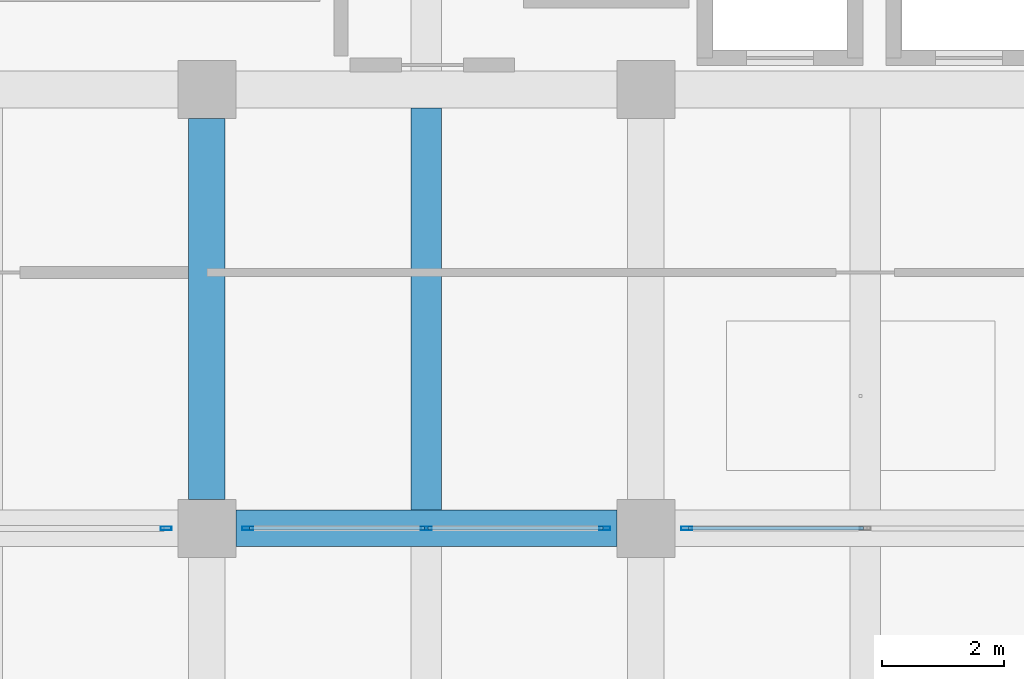
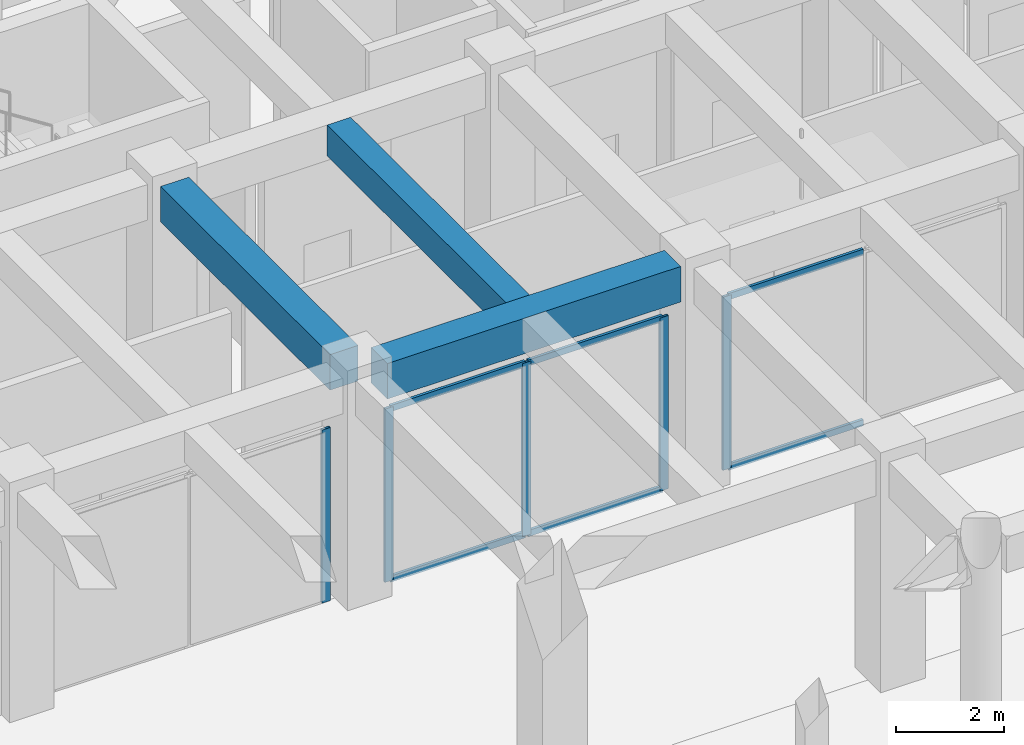
# One storey, part 9 of 56: 11 members, 3 beams, 3 elements without a shape of their own.
"""IFC4 building model written with IfcOpenShell, lengths in metres."""

from ifc_helpers import new_model, si_unit, direction, frame, origin, origin_2d, place, context, subcontext, project, spatial, rectangle, hollow_rectangle, extrude, material, material_profile, profile_set, type_object, element, aggregate, save


model = new_model("IFC4")

# Units and contexts
model_context = context("Model", 3, precision=1e-05, world=origin(), true_north=direction((0.0, 1.0)))
body_context = subcontext(model_context, "Body", "Model", "MODEL_VIEW")
ifc_project = project(units=[si_unit("LENGTHUNIT", "METRE"), si_unit("AREAUNIT", "SQUARE_METRE"), si_unit("VOLUMEUNIT", "CUBIC_METRE"), si_unit("PLANEANGLEUNIT", "RADIAN"), si_unit("MASSUNIT", "GRAM", prefix="KILO")], contexts=[model_context])

# Site, building, storey
site_placement = place(None, origin())
site = spatial("IfcSite", under=ifc_project, at=site_placement, CompositionType="ELEMENT")
building_placement = place(site_placement, origin())
building = spatial("IfcBuilding", under=site, at=building_placement, Name="Kazehaya Institute of Natural Sciences", CompositionType="ELEMENT")
storey_placement = place(building_placement, origin())
storey = spatial("IfcBuildingStorey", under=building, at=storey_placement, Name="L00", CompositionType="ELEMENT", Elevation=0.0)

# Beams
ifc_material_1 = material(Name="Concrete Fc36", Category="concrete")
ifc_material_profile_1 = material_profile(ifc_material_1, rectangle(XDim=0.60009765625, YDim=0.800048828125, at=origin_2d()), Name="RC-600x800")
ifc_profile_set_1 = profile_set([ifc_material_profile_1], Name="Concrete Fc36")
beam_type_1 = type_object("IfcBeamType", Name="BM-G-600x800", PredefinedType="BEAM", material=ifc_profile_set_1)
for number, where, z_axis, x_axis, name in (
    (1, (69.47509765625, 14.0, 4.72998046875), (1.0, 0.0, 0.0), (0.0, 1.0, 0.0), "L00 primary X girder BMX-L00-690-140"),
    (2, (69.0, 14.47509765625, 4.72998046875), (0.0, 1.0, 0.0), (-1.0, 0.0, 0.0), "L00 primary Y girder BMY-L00-690-140"),
):
    element("IfcBeam", number, at=place(storey_placement, frame(where, z_axis=z_axis, x_axis=x_axis)), inside=storey, type_object=beam_type_1, Name=name, PredefinedType="BEAM", context=body_context, shape_type="SweptSolid", body=[
        extrude(rectangle(XDim=0.60009765625, YDim=0.800048828125, at=origin_2d()), origin(), (0.0, 0.0, 1.0), 6.25),
    ])
ifc_material_profile_2 = material_profile(ifc_material_1, rectangle(XDim=0.5, YDim=0.699951171875, at=origin_2d()), Name="RC-500x700")
ifc_profile_set_2 = profile_set([ifc_material_profile_2], Name="Concrete Fc36")
beam_type_2 = type_object("IfcBeamType", Name="BM-J-500x700", PredefinedType="JOIST", material=ifc_profile_set_2)
beam_placement = place(storey_placement, frame((72.60009765625, 14.300048828125, 4.780029296875), z_axis=(0.0, 1.0, 0.0), x_axis=(-1.0, 0.0, 0.0)))
element("IfcBeam", 3, at=beam_placement, inside=storey, type_object=beam_type_2, Name="L00 secondary lab beam JST-L00-0013", PredefinedType="JOIST", context=body_context, shape_type="SweptSolid", body=[
    extrude(rectangle(XDim=0.5, YDim=0.699951171875, at=origin_2d()), origin(), (0.0, 0.0, 1.0), 6.599853515625),
])

# Curtain wall, member
ifc_material_2 = material(Name="Aluminium alloy A6063S-T5", Category="aluminium")
curtain_wall_type = type_object("IfcCurtainWallType", Name="CW-SYS-01", PredefinedType="NOTDEFINED", material=ifc_material_2)
curtain_wall_1_placement = place(storey_placement, origin())
curtain_wall_1 = element("IfcCurtainWall", 4, at=curtain_wall_1_placement, inside=storey, type_object=curtain_wall_type, Name="L00 unitised curtain wall CW-L00-004", PredefinedType="NOTDEFINED")
ifc_material_profile_3 = material_profile(ifc_material_2, hollow_rectangle(XDim=0.06005859375, YDim=0.179931640625, WallThickness=0.00390625, at=origin_2d()), Name="ALU-60x180x4")
ifc_profile_set_3 = profile_set([ifc_material_profile_3], Name="Aluminium alloy A6063S-T5")
member_type_1 = type_object("IfcMemberType", Name="CWM-180", PredefinedType="MULLION", material=ifc_profile_set_3)
member_1_placement = place(storey_placement, frame((76.8701171875, 14.0, 0.0), z_axis=(0.0, 0.0, 1.0), x_axis=(0.0, -1.0, 0.0)))
member_1 = element("IfcMember", 5, at=member_1_placement, type_object=member_type_1, Name="CW01 mullion 3", PredefinedType="MULLION", context=body_context, shape_type="SweptSolid", body=[
    extrude(hollow_rectangle(XDim=0.06005859375, YDim=0.179931640625, WallThickness=0.00390625, at=origin_2d()), origin(), (0.0, 0.0, 1.0), 3.89990234375),
])

# Curtain wall, members
curtain_wall_2_placement = place(storey_placement, origin())
curtain_wall_2 = element("IfcCurtainWall", 6, at=curtain_wall_2_placement, inside=storey, type_object=curtain_wall_type, Name="L00 unitised curtain wall CW-L00-005", PredefinedType="NOTDEFINED")
member_2_placement = place(storey_placement, frame((75.530029296875, 14.0, 0.0), z_axis=(0.0, 0.0, 1.0), x_axis=(0.0, -1.0, 0.0)))
member_2 = element("IfcMember", 7, at=member_2_placement, type_object=member_type_1, Name="CW01 mullion 1", PredefinedType="MULLION", context=body_context, shape_type="SweptSolid", body=[
    extrude(hollow_rectangle(XDim=0.06005859375, YDim=0.179931640625, WallThickness=0.00390625, at=origin_2d()), origin(), (0.0, 0.0, 1.0), 3.89990234375),
])
member_3_placement = place(storey_placement, frame((72.60009765625, 14.0, 0.0), z_axis=(0.0, 0.0, 1.0), x_axis=(0.0, -1.0, 0.0)))
member_3 = element("IfcMember", 8, at=member_3_placement, type_object=member_type_1, Name="CW01 mullion 2", PredefinedType="MULLION", context=body_context, shape_type="SweptSolid", body=[
    extrude(hollow_rectangle(XDim=0.06005859375, YDim=0.179931640625, WallThickness=0.00390625, at=origin_2d()), origin(), (0.0, 0.0, 1.0), 3.89990234375),
])
member_4_placement = place(storey_placement, frame((69.669921875, 14.0, 0.0), z_axis=(0.0, 0.0, 1.0), x_axis=(0.0, -1.0, 0.0)))
member_4 = element("IfcMember", 9, at=member_4_placement, type_object=member_type_1, Name="CW01 mullion 3", PredefinedType="MULLION", context=body_context, shape_type="SweptSolid", body=[
    extrude(hollow_rectangle(XDim=0.06005859375, YDim=0.179931640625, WallThickness=0.00390625, at=origin_2d()), origin(), (0.0, 0.0, 1.0), 3.89990234375),
])

# Curtain wall, member
curtain_wall_3_placement = place(storey_placement, origin())
curtain_wall_3 = element("IfcCurtainWall", 10, at=curtain_wall_3_placement, inside=storey, type_object=curtain_wall_type, Name="L00 unitised curtain wall CW-L00-006", PredefinedType="NOTDEFINED")
member_5_placement = place(storey_placement, frame((68.330078125, 14.0, 0.0), z_axis=(0.0, 0.0, 1.0), x_axis=(0.0, -1.0, 0.0)))
member_5 = element("IfcMember", 11, at=member_5_placement, type_object=member_type_1, Name="CW01 mullion 1", PredefinedType="MULLION", context=body_context, shape_type="SweptSolid", body=[
    extrude(hollow_rectangle(XDim=0.06005859375, YDim=0.179931640625, WallThickness=0.00390625, at=origin_2d()), origin(), (0.0, 0.0, 1.0), 3.89990234375),
])
aggregate(curtain_wall_3, [member_5])

# Member
ifc_material_profile_4 = material_profile(ifc_material_2, hollow_rectangle(XDim=0.06005859375, YDim=0.139892578125, WallThickness=0.00341796875, at=origin_2d()), Name="ALU-60x140x3.5")
ifc_profile_set_4 = profile_set([ifc_material_profile_4], Name="Aluminium alloy A6063S-T5")
member_type_2 = type_object("IfcMemberType", Name="CWT-140", PredefinedType="USERDEFINED", material=ifc_profile_set_4)
member_6_placement = place(storey_placement, frame((79.77001953125, 14.0, 0.030029296875), z_axis=(-1.0, 0.0, 0.0), x_axis=(0.0, -1.0, 0.0)))
member_6 = element("IfcMember", 12, at=member_6_placement, type_object=member_type_2, Name="CW01 transom 2.1", ObjectType="TRANSOM", PredefinedType="USERDEFINED", context=body_context, shape_type="SweptSolid", body=[
    extrude(hollow_rectangle(XDim=0.06005859375, YDim=0.139892578125, WallThickness=0.00341796875, at=origin_2d()), origin(), (0.0, 0.0, 1.0), 2.8701171875),
])

member_7_placement = place(storey_placement, frame((79.77001953125, 14.0, 3.8701171875), z_axis=(-1.0, 0.0, 0.0), x_axis=(0.0, -1.0, 0.0)))
member_7 = element("IfcMember", 13, at=member_7_placement, type_object=member_type_2, Name="CW01 transom 2.2", ObjectType="TRANSOM", PredefinedType="USERDEFINED", context=body_context, shape_type="SweptSolid", body=[
    extrude(hollow_rectangle(XDim=0.06005859375, YDim=0.139892578125, WallThickness=0.00341796875, at=origin_2d()), origin(), (0.0, 0.0, 1.0), 2.8701171875),
])

aggregate(curtain_wall_1, [member_1, member_6, member_7])

member_8_placement = place(storey_placement, frame((75.5, 14.0, 0.030029296875), z_axis=(-1.0, 0.0, 0.0), x_axis=(0.0, -1.0, 0.0)))
member_8 = element("IfcMember", 14, at=member_8_placement, type_object=member_type_2, Name="CW01 transom 1.1", ObjectType="TRANSOM", PredefinedType="USERDEFINED", context=body_context, shape_type="SweptSolid", body=[
    extrude(hollow_rectangle(XDim=0.06005859375, YDim=0.139892578125, WallThickness=0.00341796875, at=origin_2d()), origin(), (0.0, 0.0, 1.0), 2.8701171875),
])

member_9_placement = place(storey_placement, frame((75.5, 14.0, 3.8701171875), z_axis=(-1.0, 0.0, 0.0), x_axis=(0.0, -1.0, 0.0)))
member_9 = element("IfcMember", 15, at=member_9_placement, type_object=member_type_2, Name="CW01 transom 1.2", ObjectType="TRANSOM", PredefinedType="USERDEFINED", context=body_context, shape_type="SweptSolid", body=[
    extrude(hollow_rectangle(XDim=0.06005859375, YDim=0.139892578125, WallThickness=0.00341796875, at=origin_2d()), origin(), (0.0, 0.0, 1.0), 2.8701171875),
])

member_10_placement = place(storey_placement, frame((72.570068359375, 14.0, 0.030029296875), z_axis=(-1.0, 0.0, 0.0), x_axis=(0.0, -1.0, 0.0)))
member_10 = element("IfcMember", 16, at=member_10_placement, type_object=member_type_2, Name="CW01 transom 2.1", ObjectType="TRANSOM", PredefinedType="USERDEFINED", context=body_context, shape_type="SweptSolid", body=[
    extrude(hollow_rectangle(XDim=0.06005859375, YDim=0.139892578125, WallThickness=0.00341796875, at=origin_2d()), origin(), (0.0, 0.0, 1.0), 2.8701171875),
])

member_11_placement = place(storey_placement, frame((72.570068359375, 14.0, 3.8701171875), z_axis=(-1.0, 0.0, 0.0), x_axis=(0.0, -1.0, 0.0)))
member_11 = element("IfcMember", 17, at=member_11_placement, type_object=member_type_2, Name="CW01 transom 2.2", ObjectType="TRANSOM", PredefinedType="USERDEFINED", context=body_context, shape_type="SweptSolid", body=[
    extrude(hollow_rectangle(XDim=0.06005859375, YDim=0.139892578125, WallThickness=0.00341796875, at=origin_2d()), origin(), (0.0, 0.0, 1.0), 2.8701171875),
])

aggregate(curtain_wall_2, [member_2, member_3, member_4, member_8, member_9, member_10, member_11])

save(model, "model.ifc")
